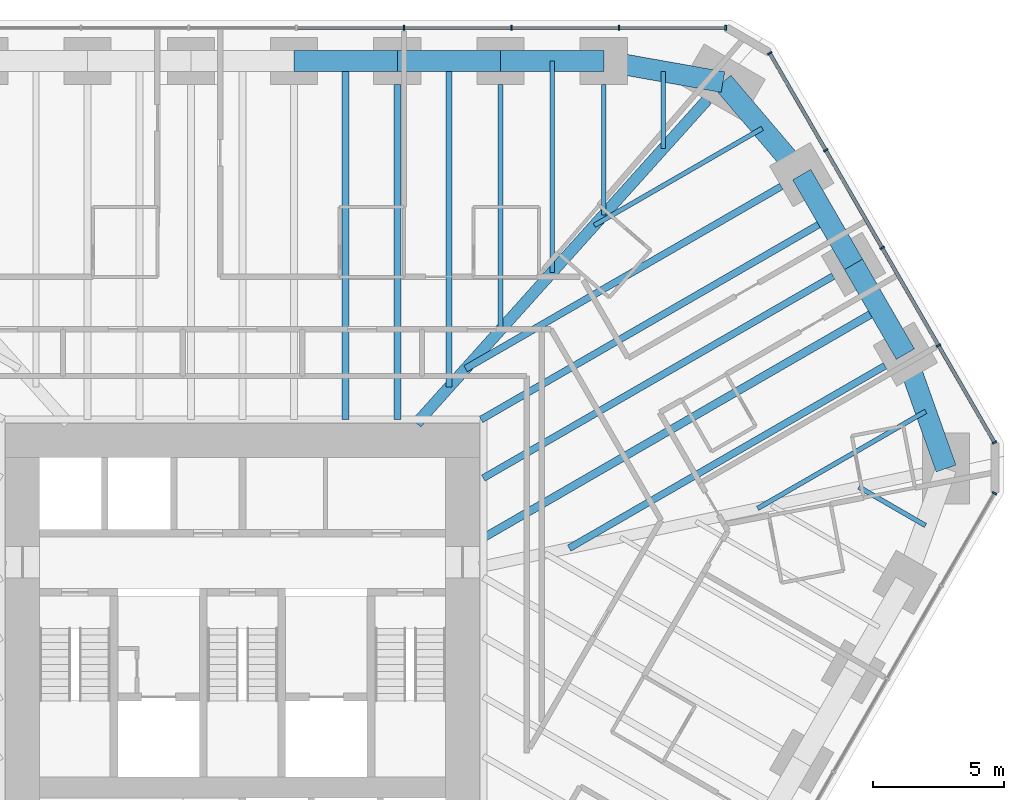
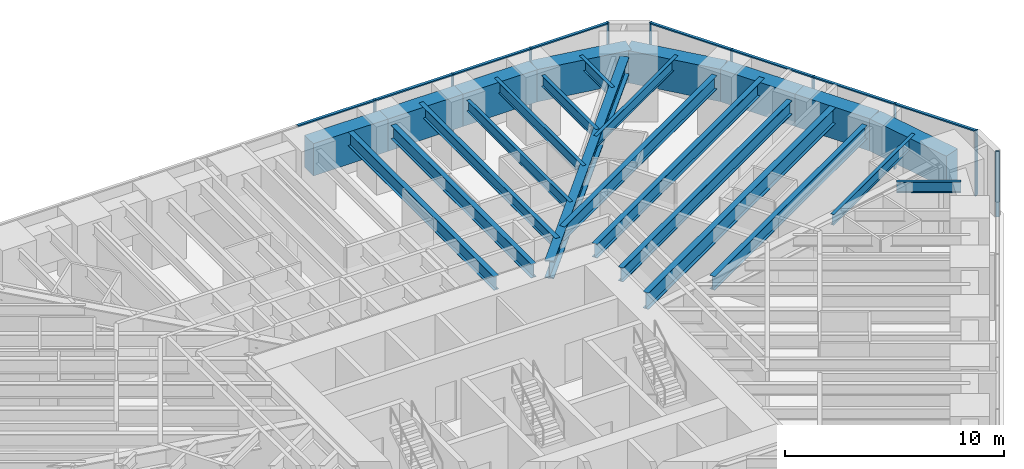
# One storey, part 9 of 17: 24 beams, 18 members, 3 elements without a shape of their own.
"""IFC4 building model written with IfcOpenShell, lengths in metres."""

from ifc_helpers import new_model, si_unit, direction, frame, origin, origin_2d, place, context, subcontext, project, spatial, rectangle, i_section, extrude, material, material_profile, profile_set, type_object, element, aggregate, save


model = new_model("IFC4")

# Units and contexts
model_context = context("Model", 3, precision=1e-05, world=origin(), true_north=direction((0.0, 1.0)))
body_context = subcontext(model_context, "Body", "Model", "MODEL_VIEW")
ifc_project = project(units=[si_unit("LENGTHUNIT", "METRE"), si_unit("AREAUNIT", "SQUARE_METRE"), si_unit("VOLUMEUNIT", "CUBIC_METRE"), si_unit("PLANEANGLEUNIT", "RADIAN"), si_unit("MASSUNIT", "GRAM", prefix="KILO")], contexts=[model_context])

# Site, building, storey
site_placement = place(None, origin())
site = spatial("IfcSite", under=ifc_project, at=site_placement, CompositionType="ELEMENT")
building_placement = place(site_placement, origin())
building = spatial("IfcBuilding", under=site, at=building_placement, Name="Sandreach Pilgrim Tower", CompositionType="ELEMENT")
storey_placement = place(building_placement, frame((0.0, 0.0, 127.199951171875)))
storey = spatial("IfcBuildingStorey", under=building, at=storey_placement, Name="L31", CompositionType="ELEMENT", Elevation=127.199951171875)

# Curtain wall, members
ifc_material_1 = material(Name="Aluminium framed curtain wall", Category="aluminium")
curtain_wall_type = type_object("IfcCurtainWallType", Name="Hotel tower curtain wall", PredefinedType="NOTDEFINED", material=ifc_material_1)
curtain_wall_1_placement = place(storey_placement, origin())
curtain_wall_1 = element("IfcCurtainWall", 1, at=curtain_wall_1_placement, inside=storey, type_object=curtain_wall_type, Name="CW-2 L31 N", PredefinedType="NOTDEFINED")
ifc_material_2 = material(Name="Aluminium extrusion", Category="aluminium")
ifc_material_profile_1 = material_profile(ifc_material_2, rectangle(XDim=0.06494140625, YDim=0.179931640625, at=origin_2d()), Name="CW-2M 65X180")
ifc_profile_set_1 = profile_set([ifc_material_profile_1], Name="Aluminium extrusion")
member_type_1 = type_object("IfcMemberType", Name="CW-2 mullion", PredefinedType="MULLION", material=ifc_profile_set_1)
member_1_placement = place(storey_placement, frame((6.160400390625, 22.493896484375, 0.0), z_axis=(0.0, 0.0, 1.0), x_axis=(1.0, 0.0, 0.0)))
member_1 = element("IfcMember", 2, at=member_1_placement, type_object=member_type_1, Name="CW-2 mullion 7", PredefinedType="MULLION", context=body_context, shape_type="SweptSolid", body=[
    extrude(rectangle(XDim=0.06494140625, YDim=0.179931640625, at=origin_2d()), origin(), (0.0, 0.0, 1.0), 3.64013671875),
])
member_2_placement = place(storey_placement, frame((10.267333984375, 22.493896484375, 0.0), z_axis=(0.0, 0.0, 1.0), x_axis=(1.0, 0.0, 0.0)))
member_2 = element("IfcMember", 3, at=member_2_placement, type_object=member_type_1, Name="CW-2 mullion 8", PredefinedType="MULLION", context=body_context, shape_type="SweptSolid", body=[
    extrude(rectangle(XDim=0.06494140625, YDim=0.179931640625, at=origin_2d()), origin(), (0.0, 0.0, 1.0), 3.64013671875),
])
member_3_placement = place(storey_placement, frame((14.37451171875, 22.493896484375, 0.0), z_axis=(0.0, 0.0, 1.0), x_axis=(1.0, 0.0, 0.0)))
member_3 = element("IfcMember", 4, at=member_3_placement, type_object=member_type_1, Name="CW-2 mullion 9", PredefinedType="MULLION", context=body_context, shape_type="SweptSolid", body=[
    extrude(rectangle(XDim=0.06494140625, YDim=0.179931640625, at=origin_2d()), origin(), (0.0, 0.0, 1.0), 3.64013671875),
])
member_4_placement = place(storey_placement, frame((18.448974609375, 22.493896484375, 0.0), z_axis=(0.0, 0.0, 1.0), x_axis=(1.0, 0.0, 0.0)))
member_4 = element("IfcMember", 5, at=member_4_placement, type_object=member_type_1, Name="CW-2 mullion 10", PredefinedType="MULLION", context=body_context, shape_type="SweptSolid", body=[
    extrude(rectangle(XDim=0.06494140625, YDim=0.179931640625, at=origin_2d()), origin(), (0.0, 0.0, 1.0), 3.64013671875),
])

curtain_wall_2_placement = place(storey_placement, origin())
curtain_wall_2 = element("IfcCurtainWall", 6, at=curtain_wall_2_placement, inside=storey, type_object=curtain_wall_type, Name="CW-2 L31 NE", PredefinedType="NOTDEFINED")
member_5_placement = place(storey_placement, frame((20.125732421875, 21.525634765625, 0.0), z_axis=(0.0, 0.0, 1.0), x_axis=(0.5, -0.866025403784, 0.0)))
member_5 = element("IfcMember", 7, at=member_5_placement, type_object=member_type_1, Name="CW-2 mullion 1", PredefinedType="MULLION", context=body_context, shape_type="SweptSolid", body=[
    extrude(rectangle(XDim=0.06494140625, YDim=0.179931640625, at=origin_2d()), origin(), (0.0, 0.0, 1.0), 3.64013671875),
])
member_6_placement = place(storey_placement, frame((22.262451171875, 17.824951171875, 0.0), z_axis=(0.0, 0.0, 1.0), x_axis=(0.5, -0.866025403784, 0.0)))
member_6 = element("IfcMember", 8, at=member_6_placement, type_object=member_type_1, Name="CW-2 mullion 2", PredefinedType="MULLION", context=body_context, shape_type="SweptSolid", body=[
    extrude(rectangle(XDim=0.06494140625, YDim=0.179931640625, at=origin_2d()), origin(), (0.0, 0.0, 1.0), 3.64013671875),
])
member_7_placement = place(storey_placement, frame((24.415283203125, 14.09619140625, 0.0), z_axis=(0.0, 0.0, 1.0), x_axis=(0.5, -0.866025403784, 0.0)))
member_7 = element("IfcMember", 9, at=member_7_placement, type_object=member_type_1, Name="CW-2 mullion 3", PredefinedType="MULLION", context=body_context, shape_type="SweptSolid", body=[
    extrude(rectangle(XDim=0.06494140625, YDim=0.179931640625, at=origin_2d()), origin(), (0.0, 0.0, 1.0), 3.64013671875),
])
member_8_placement = place(storey_placement, frame((26.568115234375, 10.3671875, 0.0), z_axis=(0.0, 0.0, 1.0), x_axis=(0.5, -0.866025403784, 0.0)))
member_8 = element("IfcMember", 10, at=member_8_placement, type_object=member_type_1, Name="CW-2 mullion 4", PredefinedType="MULLION", context=body_context, shape_type="SweptSolid", body=[
    extrude(rectangle(XDim=0.06494140625, YDim=0.179931640625, at=origin_2d()), origin(), (0.0, 0.0, 1.0), 3.64013671875),
])
member_9_placement = place(storey_placement, frame((28.70458984375, 6.66650390625, 0.0), z_axis=(0.0, 0.0, 1.0), x_axis=(0.5, -0.866025403784, 0.0)))
member_9 = element("IfcMember", 11, at=member_9_placement, type_object=member_type_1, Name="CW-2 mullion 5", PredefinedType="MULLION", context=body_context, shape_type="SweptSolid", body=[
    extrude(rectangle(XDim=0.06494140625, YDim=0.179931640625, at=origin_2d()), origin(), (0.0, 0.0, 1.0), 3.64013671875),
])

# Curtain wall, member
curtain_wall_3_placement = place(storey_placement, origin())
curtain_wall_3 = element("IfcCurtainWall", 12, at=curtain_wall_3_placement, inside=storey, type_object=curtain_wall_type, Name="CW-2 L31 SE", PredefinedType="NOTDEFINED")
member_10_placement = place(storey_placement, frame((28.70458984375, 4.730224609375, 0.0), z_axis=(0.0, 0.0, 1.0), x_axis=(-0.5, -0.866025403784, 0.0)))
member_10 = element("IfcMember", 13, at=member_10_placement, type_object=member_type_1, Name="CW-2 mullion 1", PredefinedType="MULLION", context=body_context, shape_type="SweptSolid", body=[
    extrude(rectangle(XDim=0.06494140625, YDim=0.179931640625, at=origin_2d()), origin(), (0.0, 0.0, 1.0), 3.64013671875),
])
aggregate(curtain_wall_3, [member_10])

# Member
ifc_material_3 = material(Name="Aluminium extrusion", Category="aluminium")
ifc_material_profile_2 = material_profile(ifc_material_3, rectangle(XDim=0.139892578125, YDim=0.070068359375, at=origin_2d()), Name="CW-2T 140X70")
ifc_profile_set_2 = profile_set([ifc_material_profile_2], Name="Aluminium extrusion")
member_type_2 = type_object("IfcMemberType", Name="CW-2 transom", PredefinedType="USERDEFINED", material=ifc_profile_set_2)
member_11_placement = place(storey_placement, frame((2.0859375, 22.493896484375, 3.60498046875), z_axis=(1.0, 0.0, 0.0), x_axis=(0.0, 1.0, 0.0)))
member_11 = element("IfcMember", 14, at=member_11_placement, type_object=member_type_2, Name="CW-2 head transom 6", ObjectType="TRANSOM", PredefinedType="USERDEFINED", context=body_context, shape_type="SweptSolid", body=[
    extrude(rectangle(XDim=0.139892578125, YDim=0.070068359375, at=origin_2d()), origin(), (0.0, 0.0, 1.0), 4.0419921875),
])

member_12_placement = place(storey_placement, frame((6.19287109375, 22.493896484375, 3.60498046875), z_axis=(1.0, 0.0, 0.0), x_axis=(0.0, 1.0, 0.0)))
member_12 = element("IfcMember", 15, at=member_12_placement, type_object=member_type_2, Name="CW-2 head transom 7", ObjectType="TRANSOM", PredefinedType="USERDEFINED", context=body_context, shape_type="SweptSolid", body=[
    extrude(rectangle(XDim=0.139892578125, YDim=0.070068359375, at=origin_2d()), origin(), (0.0, 0.0, 1.0), 4.0419921875),
])

member_13_placement = place(storey_placement, frame((10.300048828125, 22.493896484375, 3.60498046875), z_axis=(1.0, 0.0, 0.0), x_axis=(0.0, 1.0, 0.0)))
member_13 = element("IfcMember", 16, at=member_13_placement, type_object=member_type_2, Name="CW-2 head transom 8", ObjectType="TRANSOM", PredefinedType="USERDEFINED", context=body_context, shape_type="SweptSolid", body=[
    extrude(rectangle(XDim=0.139892578125, YDim=0.070068359375, at=origin_2d()), origin(), (0.0, 0.0, 1.0), 4.041748046875),
])

member_14_placement = place(storey_placement, frame((14.406982421875, 22.493896484375, 3.60498046875), z_axis=(1.0, 0.0, 0.0), x_axis=(0.0, 1.0, 0.0)))
member_14 = element("IfcMember", 17, at=member_14_placement, type_object=member_type_2, Name="CW-2 head transom 9", ObjectType="TRANSOM", PredefinedType="USERDEFINED", context=body_context, shape_type="SweptSolid", body=[
    extrude(rectangle(XDim=0.139892578125, YDim=0.070068359375, at=origin_2d()), origin(), (0.0, 0.0, 1.0), 4.00927734375),
])

aggregate(curtain_wall_1, [member_1, member_2, member_3, member_4, member_11, member_12, member_13, member_14])

member_15_placement = place(storey_placement, frame((20.14208984375, 21.49755859375, 3.60498046875), z_axis=(0.49997020258, -0.86604260665, 0.0), x_axis=(0.86604260665, 0.49997020258, 0.0)))
member_15 = element("IfcMember", 18, at=member_15_placement, type_object=member_type_2, Name="CW-2 head transom 1", ObjectType="TRANSOM", PredefinedType="USERDEFINED", context=body_context, shape_type="SweptSolid", body=[
    extrude(rectangle(XDim=0.139892578125, YDim=0.070068359375, at=origin_2d()), origin(), (0.0, 0.0, 1.0), 4.208251953125),
])

member_16_placement = place(storey_placement, frame((22.278564453125, 17.796875, 3.60498046875), z_axis=(0.499996541496, -0.866027400544, 0.0), x_axis=(0.866027400544, 0.499996541496, 0.0)))
member_16 = element("IfcMember", 19, at=member_16_placement, type_object=member_type_2, Name="CW-2 head transom 2", ObjectType="TRANSOM", PredefinedType="USERDEFINED", context=body_context, shape_type="SweptSolid", body=[
    extrude(rectangle(XDim=0.139892578125, YDim=0.070068359375, at=origin_2d()), origin(), (0.0, 0.0, 1.0), 4.24072265625),
])

member_17_placement = place(storey_placement, frame((24.431396484375, 14.06787109375, 3.60498046875), z_axis=(0.500021471012, -0.866013007135, 0.0), x_axis=(0.866013007135, 0.500021471012, 0.0)))
member_17 = element("IfcMember", 20, at=member_17_placement, type_object=member_type_2, Name="CW-2 head transom 3", ObjectType="TRANSOM", PredefinedType="USERDEFINED", context=body_context, shape_type="SweptSolid", body=[
    extrude(rectangle(XDim=0.139892578125, YDim=0.070068359375, at=origin_2d()), origin(), (0.0, 0.0, 1.0), 4.240478515625),
])

member_18_placement = place(storey_placement, frame((26.584228515625, 10.339111328125, 3.60498046875), z_axis=(0.500038835258, -0.866002981077, 0.0), x_axis=(0.866002981077, 0.500038835258, 0.0)))
member_18 = element("IfcMember", 21, at=member_18_placement, type_object=member_type_2, Name="CW-2 head transom 4", ObjectType="TRANSOM", PredefinedType="USERDEFINED", context=body_context, shape_type="SweptSolid", body=[
    extrude(rectangle(XDim=0.139892578125, YDim=0.070068359375, at=origin_2d()), origin(), (0.0, 0.0, 1.0), 4.208251953125),
])

aggregate(curtain_wall_2, [member_5, member_6, member_7, member_8, member_9, member_15, member_16, member_17, member_18])

# Beams
ifc_material_4 = material(Name="Steel ASTM A992 Grade 50", Category="steel")
ifc_material_profile_3 = material_profile(ifc_material_4, i_section(OverallWidth=0.431884765625, OverallDepth=0.988037109375, WebThickness=0.034423828125, FlangeThickness=0.06201171875, at=origin_2d()), Name="W36X441")
ifc_profile_set_3 = profile_set([ifc_material_profile_3], Name="Steel ASTM A992 Grade 50")
beam_type_1 = type_object("IfcBeamType", Name="Corner girder W36X441", PredefinedType="BEAM", material=ifc_profile_set_3)
beam_1_placement = place(storey_placement, frame((17.738037109375, 19.754150390625, 3.14599609375), z_axis=(-0.66811374471, -0.74405915365, 0.0), x_axis=(0.74405915365, -0.66811374471, 0.0)))
element("IfcBeam", 22, at=beam_1_placement, inside=storey, type_object=beam_type_1, Name="BM L31 CG09", PredefinedType="BEAM", context=body_context, shape_type="SweptSolid", body=[
    extrude(i_section(OverallWidth=0.431884765625, OverallDepth=0.988037109375, WebThickness=0.034423828125, FlangeThickness=0.06201171875, at=origin_2d()), origin(), (0.0, 0.0, 1.0), 16.603759765625),
])
ifc_material_5 = material(Name="Steel ASTM A992 Grade 50", Category="steel")
ifc_material_profile_4 = material_profile(ifc_material_5, i_section(OverallWidth=0.1787109375, OverallDepth=0.60205078125, WebThickness=0.010986328125, FlangeThickness=0.014892578125, at=origin_2d()), Name="W24X62")
ifc_profile_set_4 = profile_set([ifc_material_profile_4], Name="Steel ASTM A992 Grade 50")
beam_type_2 = type_object("IfcBeamType", Name="Floor beam W24X62", PredefinedType="BEAM", material=ifc_profile_set_4)
beam_2_placement = place(storey_placement, frame((9.849853515625, 20.333740234375, 3.339111328125), z_axis=(0.0, -1.0, 0.0), x_axis=(1.0, 0.0, 0.0)))
element("IfcBeam", 23, at=beam_2_placement, inside=storey, type_object=beam_type_2, Name="BM L31 F07", PredefinedType="BEAM", context=body_context, shape_type="SweptSolid", body=[
    extrude(i_section(OverallWidth=0.1787109375, OverallDepth=0.60205078125, WebThickness=0.010986328125, FlangeThickness=0.014892578125, at=origin_2d()), origin(), (0.0, 0.0, 1.0), 9.3642578125),
])
beam_3_placement = place(storey_placement, frame((13.789794921875, 20.333740234375, 3.339111328125), z_axis=(0.0, -1.0, 0.0), x_axis=(1.0, 0.0, 0.0)))
element("IfcBeam", 24, at=beam_3_placement, inside=storey, type_object=beam_type_2, Name="BM L31 F08", PredefinedType="BEAM", context=body_context, shape_type="SweptSolid", body=[
    extrude(i_section(OverallWidth=0.1787109375, OverallDepth=0.60205078125, WebThickness=0.010986328125, FlangeThickness=0.014892578125, at=origin_2d()), origin(), (0.0, 0.0, 1.0), 4.9765625),
])
beam_4_placement = place(storey_placement, frame((11.81982421875, 21.23388671875, 3.339111328125), z_axis=(0.0, -1.0, 0.0), x_axis=(1.0, 0.0, 0.0)))
element("IfcBeam", 25, at=beam_4_placement, inside=storey, type_object=beam_type_2, Name="BM L31 FM07", PredefinedType="BEAM", context=body_context, shape_type="SweptSolid", body=[
    extrude(i_section(OverallWidth=0.1787109375, OverallDepth=0.60205078125, WebThickness=0.010986328125, FlangeThickness=0.014892578125, at=origin_2d()), origin(), (0.0, 0.0, 1.0), 8.070556640625),
])
beam_5_placement = place(storey_placement, frame((16.064697265625, 20.828857421875, 3.339111328125), z_axis=(0.0, -1.0, 0.0), x_axis=(1.0, 0.0, 0.0)))
element("IfcBeam", 26, at=beam_5_placement, inside=storey, type_object=beam_type_2, Name="BM L31 FM08", PredefinedType="BEAM", context=body_context, shape_type="SweptSolid", body=[
    extrude(i_section(OverallWidth=0.1787109375, OverallDepth=0.60205078125, WebThickness=0.010986328125, FlangeThickness=0.014892578125, at=origin_2d()), origin(), (0.0, 0.0, 1.0), 2.938232421875),
])
for number, where, z_axis, x_axis, name in (
    (27, (19.8427734375, 18.65771484375, 3.339111328125), (-0.866025875064, -0.499999183719, 0.0), (0.499999183719, -0.866025875064, 0.0), "BM L31 FM09"),
    (28, (26.079345703125, 7.855712890625, 3.339111328125), (-0.866025875064, -0.499999183719, 0.0), (0.499999183719, -0.866025875064, 0.0), "BM L31 FM12"),
):
    element("IfcBeam", number, at=place(storey_placement, frame(where, z_axis=z_axis, x_axis=x_axis)), inside=storey, type_object=beam_type_2, Name=name, PredefinedType="BEAM", context=body_context, shape_type="SweptSolid", body=[
        extrude(i_section(OverallWidth=0.1787109375, OverallDepth=0.60205078125, WebThickness=0.010986328125, FlangeThickness=0.014892578125, at=origin_2d()), origin(), (0.0, 0.0, 1.0), 7.40771484375),
    ])
beam_6_placement = place(storey_placement, frame((26.070556640625, 3.498046875, 3.339111328125), z_axis=(-0.866051374412, 0.499955014855, 0.0), x_axis=(-0.499955014855, -0.866051374412, 0.0)))
element("IfcBeam", 29, at=beam_6_placement, inside=storey, type_object=beam_type_2, Name="BM L31 FM13", PredefinedType="BEAM", context=body_context, shape_type="SweptSolid", body=[
    extrude(i_section(OverallWidth=0.1787109375, OverallDepth=0.60205078125, WebThickness=0.010986328125, FlangeThickness=0.014892578125, at=origin_2d()), origin(), (0.0, 0.0, 1.0), 2.938232421875),
])
ifc_material_6 = material(Name="Steel ASTM A992 Grade 50", Category="steel")
ifc_material_profile_5 = material_profile(ifc_material_6, i_section(OverallWidth=0.23046875, OverallDepth=0.6171875, WebThickness=0.01318359375, FlangeThickness=0.022216796875, at=origin_2d()), Name="W24X94")
ifc_profile_set_5 = profile_set([ifc_material_profile_5], Name="Steel ASTM A992 Grade 50")
beam_type_3 = type_object("IfcBeamType", Name="Floor beam W24X94", PredefinedType="BEAM", material=ifc_profile_set_5)
beam_7_placement = place(storey_placement, frame((7.8798828125, 21.23388671875, 3.33154296875), z_axis=(0.0, -1.0, 0.0), x_axis=(1.0, 0.0, 0.0)))
element("IfcBeam", 30, at=beam_7_placement, inside=storey, type_object=beam_type_3, Name="BM L31 FM06", PredefinedType="BEAM", context=body_context, shape_type="SweptSolid", body=[
    extrude(i_section(OverallWidth=0.23046875, OverallDepth=0.6171875, WebThickness=0.01318359375, FlangeThickness=0.022216796875, at=origin_2d()), origin(), (0.0, 0.0, 1.0), 12.458251953125),
])
ifc_material_7 = material(Name="Steel ASTM A992 Grade 50", Category="steel")
ifc_material_profile_6 = material_profile(ifc_material_7, i_section(OverallWidth=0.2666015625, OverallDepth=0.761962890625, WebThickness=0.014404296875, FlangeThickness=0.021484375, at=origin_2d()), Name="W30X116")
ifc_profile_set_6 = profile_set([ifc_material_profile_6], Name="Steel ASTM A992 Grade 50")
beam_type_4 = type_object("IfcBeamType", Name="Floor beam W30X116", PredefinedType="BEAM", material=ifc_profile_set_6)
beam_8_placement = place(storey_placement, frame((5.909912109375, 20.333740234375, 3.259033203125), z_axis=(0.0, -1.0, 0.0), x_axis=(1.0, 0.0, 0.0)))
element("IfcBeam", 31, at=beam_8_placement, inside=storey, type_object=beam_type_4, Name="BM L31 F06", PredefinedType="BEAM", context=body_context, shape_type="SweptSolid", body=[
    extrude(i_section(OverallWidth=0.2666015625, OverallDepth=0.761962890625, WebThickness=0.014404296875, FlangeThickness=0.021484375, at=origin_2d()), origin(), (0.0, 0.0, 1.0), 12.790283203125),
])
beam_9_placement = place(storey_placement, frame((20.56689453125, 16.44140625, 3.259033203125), z_axis=(-0.866022263426, -0.500005439221, 0.0), x_axis=(0.500005439221, -0.866022263426, 0.0)))
element("IfcBeam", 32, at=beam_9_placement, inside=storey, type_object=beam_type_4, Name="BM L31 F10", PredefinedType="BEAM", context=body_context, shape_type="SweptSolid", body=[
    extrude(i_section(OverallWidth=0.2666015625, OverallDepth=0.761962890625, WebThickness=0.014404296875, FlangeThickness=0.021484375, at=origin_2d()), origin(), (0.0, 0.0, 1.0), 13.915283203125),
])
beam_10_placement = place(storey_placement, frame((24.522216796875, 9.5908203125, 3.259033203125), z_axis=(-0.866026649588, -0.499997842199, 0.0), x_axis=(0.499997842199, -0.866026649588, 0.0)))
element("IfcBeam", 33, at=beam_10_placement, inside=storey, type_object=beam_type_4, Name="BM L31 F12", PredefinedType="BEAM", context=body_context, shape_type="SweptSolid", body=[
    extrude(i_section(OverallWidth=0.2666015625, OverallDepth=0.761962890625, WebThickness=0.014404296875, FlangeThickness=0.021484375, at=origin_2d()), origin(), (0.0, 0.0, 1.0), 13.91552734375),
])
beam_11_placement = place(storey_placement, frame((3.93994140625, 21.23388671875, 3.259033203125), z_axis=(0.0, -1.0, 0.0), x_axis=(1.0, 0.0, 0.0)))
element("IfcBeam", 34, at=beam_11_placement, inside=storey, type_object=beam_type_4, Name="BM L31 FM05", PredefinedType="BEAM", context=body_context, shape_type="SweptSolid", body=[
    extrude(i_section(OverallWidth=0.2666015625, OverallDepth=0.761962890625, WebThickness=0.014404296875, FlangeThickness=0.021484375, at=origin_2d()), origin(), (0.0, 0.0, 1.0), 13.6904296875),
])
ifc_material_8 = material(Name="Steel ASTM A992 Grade 50", Category="steel")
ifc_material_profile_7 = material_profile(ifc_material_8, i_section(OverallWidth=0.2666015625, OverallDepth=0.77978515625, WebThickness=0.0166015625, FlangeThickness=0.030029296875, at=origin_2d()), Name="W30X148")
ifc_profile_set_7 = profile_set([ifc_material_profile_7], Name="Steel ASTM A992 Grade 50")
beam_type_5 = type_object("IfcBeamType", Name="Floor beam W30X148", PredefinedType="BEAM", material=ifc_profile_set_7)
beam_12_placement = place(storey_placement, frame((22.544677734375, 13.01611328125, 3.250244140625), z_axis=(-0.866029203842, -0.49999341805, 0.0), x_axis=(0.49999341805, -0.866029203842, 0.0)))
element("IfcBeam", 35, at=beam_12_placement, inside=storey, type_object=beam_type_5, Name="BM L31 F11", PredefinedType="BEAM", context=body_context, shape_type="SweptSolid", body=[
    extrude(i_section(OverallWidth=0.2666015625, OverallDepth=0.77978515625, WebThickness=0.0166015625, FlangeThickness=0.030029296875, at=origin_2d()), origin(), (0.0, 0.0, 1.0), 15.416748046875),
])
beam_13_placement = place(storey_placement, frame((22.335205078125, 15.1787109375, 3.250244140625), z_axis=(-0.866028773314, -0.499994163758, 0.0), x_axis=(0.499994163758, -0.866028773314, 0.0)))
element("IfcBeam", 36, at=beam_13_placement, inside=storey, type_object=beam_type_5, Name="BM L31 FM10", PredefinedType="BEAM", context=body_context, shape_type="SweptSolid", body=[
    extrude(i_section(OverallWidth=0.2666015625, OverallDepth=0.77978515625, WebThickness=0.0166015625, FlangeThickness=0.030029296875, at=origin_2d()), origin(), (0.0, 0.0, 1.0), 15.270751953125),
])
ifc_material_9 = material(Name="Steel ASTM A992 Grade 50", Category="steel")
ifc_material_profile_8 = material_profile(ifc_material_9, i_section(OverallWidth=0.3046875, OverallDepth=0.914306640625, WebThickness=0.0166015625, FlangeThickness=0.02587890625, at=origin_2d()), Name="W36X160")
ifc_profile_set_8 = profile_set([ifc_material_profile_8], Name="Steel ASTM A992 Grade 50")
beam_type_6 = type_object("IfcBeamType", Name="Floor beam W36X160", PredefinedType="BEAM", material=ifc_profile_set_8)
beam_14_placement = place(storey_placement, frame((24.312744140625, 11.75341796875, 3.182861328125), z_axis=(-0.866023737483, -0.500002886107, 0.0), x_axis=(0.500002886107, -0.866023737483, 0.0)))
element("IfcBeam", 37, at=beam_14_placement, inside=storey, type_object=beam_type_6, Name="BM L31 FM11", PredefinedType="BEAM", context=body_context, shape_type="SweptSolid", body=[
    extrude(i_section(OverallWidth=0.3046875, OverallDepth=0.914306640625, WebThickness=0.0166015625, FlangeThickness=0.02587890625, at=origin_2d()), origin(), (0.0, 0.0, 1.0), 17.45849609375),
])
ifc_material_10 = material(Name="Concrete 10000 psi", Category="concrete")
ifc_material_profile_9 = material_profile(ifc_material_10, rectangle(XDim=0.800048828125, YDim=1.800048828125, at=origin_2d()), Name="RC800X1800")
ifc_profile_set_9 = profile_set([ifc_material_profile_9], Name="Concrete 10000 psi")
beam_type_7 = type_object("IfcBeamType", Name="Spandrel beam RC800X1800", PredefinedType="SPANDREL", material=ifc_profile_set_9)
for number, where, z_axis, x_axis, name in (
    (38, (1.969970703125, 21.23388671875, 2.739990234375), (1.0, 0.0, 0.0), (0.0, 1.0, 0.0), "BM L31 SP05"),
    (39, (5.909912109375, 21.23388671875, 2.739990234375), (1.0, 0.0, 0.0), (0.0, 1.0, 0.0), "BM L31 SP06"),
    (40, (9.849853515625, 21.23388671875, 2.739990234375), (1.0, 0.0, 0.0), (0.0, 1.0, 0.0), "BM L31 SP07"),
):
    element("IfcBeam", number, at=place(storey_placement, frame(where, z_axis=z_axis, x_axis=x_axis)), inside=storey, type_object=beam_type_7, Name=name, PredefinedType="SPANDREL", context=body_context, shape_type="SweptSolid", body=[
        extrude(rectangle(XDim=0.800048828125, YDim=1.800048828125, at=origin_2d()), origin(), (0.0, 0.0, 1.0), 3.93994140625),
    ])
beam_15_placement = place(storey_placement, frame((13.789794921875, 21.23388671875, 2.739990234375), z_axis=(0.984515938739, -0.175295083699, 0.0), x_axis=(0.175295083699, 0.984515938739, 0.0)))
element("IfcBeam", 41, at=beam_15_placement, inside=storey, type_object=beam_type_7, Name="BM L31 SP08", PredefinedType="SPANDREL", context=body_context, shape_type="SweptSolid", body=[
    extrude(rectangle(XDim=0.800048828125, YDim=1.800048828125, at=origin_2d()), origin(), (0.0, 0.0, 1.0), 4.62109375),
])
beam_16_placement = place(storey_placement, frame((18.33935546875, 20.423828125, 2.739990234375), z_axis=(0.648208888384, -0.761462564425, 0.0), x_axis=(0.761462564425, 0.648208888384, 0.0)))
element("IfcBeam", 42, at=beam_16_placement, inside=storey, type_object=beam_type_7, Name="BM L31 SP09", PredefinedType="SPANDREL", context=body_context, shape_type="SweptSolid", body=[
    extrude(rectangle(XDim=0.800048828125, YDim=1.800048828125, at=origin_2d()), origin(), (0.0, 0.0, 1.0), 4.63916015625),
])
for number, where, z_axis, x_axis, name in (
    (43, (21.346435546875, 16.891357421875, 2.739990234375), (0.499989616998, -0.866031398331, 0.0), (0.866031398331, 0.499989616998, 0.0), "BM L31 SP10"),
    (44, (23.323974609375, 13.466064453125, 2.739990234375), (0.499989616998, -0.866031398331, 0.0), (0.866031398331, 0.499989616998, 0.0), "BM L31 SP11"),
):
    element("IfcBeam", number, at=place(storey_placement, frame(where, z_axis=z_axis, x_axis=x_axis)), inside=storey, type_object=beam_type_7, Name=name, PredefinedType="SPANDREL", context=body_context, shape_type="SweptSolid", body=[
        extrude(rectangle(XDim=0.800048828125, YDim=1.800048828125, at=origin_2d()), origin(), (0.0, 0.0, 1.0), 3.955078125),
    ])
beam_17_placement = place(storey_placement, frame((25.301513671875, 10.040771484375, 2.739990234375), z_axis=(0.335346041399, -0.942095023083, 0.0), x_axis=(0.942095023083, 0.335346041399, 0.0)))
element("IfcBeam", 45, at=beam_17_placement, inside=storey, type_object=beam_type_7, Name="BM L31 SP12", PredefinedType="SPANDREL", context=body_context, shape_type="SweptSolid", body=[
    extrude(rectangle(XDim=0.800048828125, YDim=1.800048828125, at=origin_2d()), origin(), (0.0, 0.0, 1.0), 4.638916015625),
])

save(model, "model.ifc")
